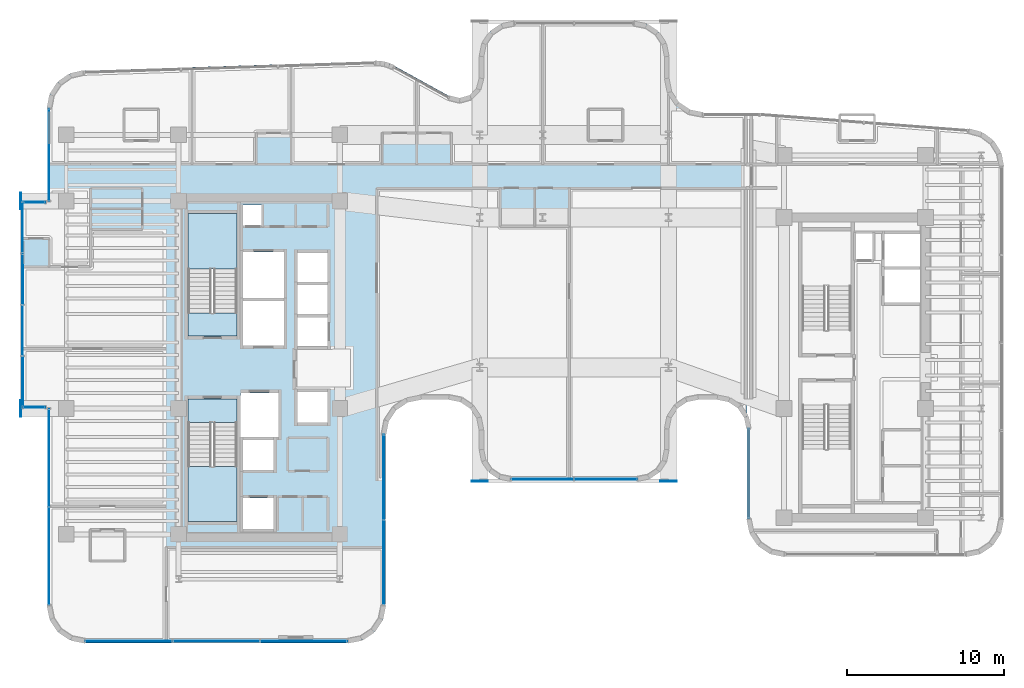
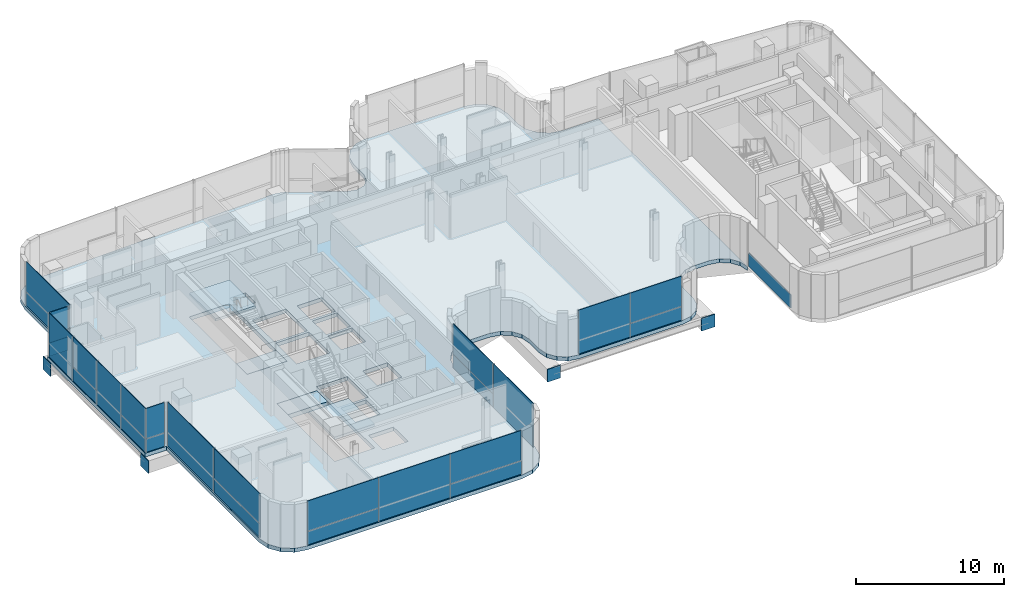
# One storey, part 24 of 36: 31 plates, 5 slabs, 11 elements without a shape of their own.
"""IFC4 building model written with IfcOpenShell, lengths in metres."""

from ifc_helpers import new_model, si_unit, direction, frame, origin, origin_2d, place, context, subcontext, project, spatial, polyline, rectangle, outline, extrude, source, transform, mapped, material, layer, layer_set, type_object, element, aggregate, save


model = new_model("IFC4")

# Units and contexts
model_context = context("Model", 3, precision=1e-05, world=origin(), true_north=direction((0.0, 1.0)))
body_context = subcontext(model_context, "Body", "Model", "MODEL_VIEW")
ifc_project = project(units=[si_unit("LENGTHUNIT", "METRE"), si_unit("AREAUNIT", "SQUARE_METRE"), si_unit("VOLUMEUNIT", "CUBIC_METRE"), si_unit("PLANEANGLEUNIT", "RADIAN"), si_unit("MASSUNIT", "GRAM", prefix="KILO")], contexts=[model_context])

# Site, building, storey
site_placement = place(None, origin())
site = spatial("IfcSite", under=ifc_project, at=site_placement, CompositionType="ELEMENT")
building_placement = place(site_placement, origin())
building = spatial("IfcBuilding", under=site, at=building_placement, Name="Valdorenza Pilgrim Sanctuary Tower", CompositionType="ELEMENT")
storey_placement = place(building_placement, frame((0.0, 0.0, 176.550048828125)))
storey = spatial("IfcBuildingStorey", under=building, at=storey_placement, Name="L45", CompositionType="ELEMENT", Elevation=176.550048828125)

# Slab
ifc_material_1 = material(Name="Concrete C40/50", Category="concrete")
ifc_layer_1 = layer(ifc_material_1, 0.320068359375, Name="Concrete C40/50")
ifc_layer_set_1 = layer_set([ifc_layer_1], Name="Concrete C40/50")
slab_type_1 = type_object("IfcSlabType", Name="SLAB-PRY-320", PredefinedType="FLOOR", material=ifc_layer_set_1)
slab_1_placement = place(storey_placement, frame((0.0, 0.0, -0.320068359375)))
element("IfcSlab", 1, at=slab_1_placement, inside=storey, type_object=slab_type_1, Name="L45 Structural Floor Slab 1", PredefinedType="FLOOR", context=body_context, shape_type="SweptSolid", body=[
    extrude(outline(polyline([(-30.324462890625, 18.14599609375), (-29.572265625, 18.671142578125), (-28.677978515625, 18.87548828125), (-10.157958984375, 19.478515625), (-9.837158203125, 19.467529296875), (-9.520751953125, 19.413818359375), (-9.214111328125, 19.318359375), (-8.923095703125, 19.182861328125), (-5.43115234375, 17.26220703125), (-4.782958984375, 17.10107421875), (-4.139892578125, 17.2822265625), (-3.671142578125, 17.75830078125), (-3.5, 18.404052734375), (-3.5, 19.7958984375), (-3.332275390625, 20.639404296875), (-2.8544921875, 21.3544921875), (-2.139404296875, 21.832275390625), (-1.2958984375, 22.0), (6.2958984375, 22.0), (7.139404296875, 21.832275390625), (7.8544921875, 21.3544921875), (8.332275390625, 20.639404296875), (8.5, 19.7958984375), (8.5, 18.404052734375), (8.667724609375, 17.560546875), (9.1455078125, 16.845458984375), (9.860595703125, 16.367919921875), (10.7041015625, 16.199951171875), (13.5, 16.199951171875), (13.5, -3.89990234375), (13.35546875, -3.1728515625), (12.943603515625, -2.556396484375), (12.3271484375, -2.14453125), (11.60009765625, -2.0), (10.39990234375, -2.0), (9.6728515625, -2.14453125), (9.056396484375, -2.556396484375), (8.64453125, -3.1728515625), (8.5, -3.89990234375), (8.5, -5.22412109375), (8.349609375, -5.980224609375), (7.921142578125, -6.62109375), (7.2802734375, -7.049560546875), (6.52392578125, -7.199951171875), (-1.52392578125, -7.199951171875), (-2.2802734375, -7.049560546875), (-2.921142578125, -6.62109375), (-3.349609375, -5.980224609375), (-3.5, -5.22412109375), (-3.5, -3.97607421875), (-3.650390625, -3.2197265625), (-4.078857421875, -2.578857421875), (-4.7197265625, -2.150390625), (-5.47607421875, -2.0), (-7.219970703125, -2.0), (-8.092529296875, -2.173583984375), (-8.832275390625, -2.667724609375), (-9.326416015625, -3.407470703125), (-9.5, -4.280029296875), (-9.5, -15.10009765625), (-9.6826171875, -16.018310546875), (-10.202880859375, -16.797119140625), (-10.981689453125, -17.3173828125), (-11.89990234375, -17.5), (-28.60009765625, -17.5), (-29.518310546875, -17.3173828125), (-30.297119140625, -16.797119140625), (-30.8173828125, -16.018310546875), (-31.0, -15.10009765625), (-31.0, -2.60009765625), (-32.64990234375, -2.60009765625), (-32.64990234375, 10.60009765625), (-31.0, 10.60009765625), (-31.0, 16.476806640625), (-30.82470703125, 17.377197265625), (-30.324462890625, 18.14599609375)]), holes=[polyline([(-16.60009765625, -10.25), (-16.60009765625, -8.300048828125), (-18.550048828125, -8.300048828125), (-18.550048828125, -10.25), (-16.60009765625, -10.25)]), polyline([(-22.050048828125, -9.800048828125), (-18.93994140625, -9.800048828125), (-18.93994140625, -3.485107421875), (-18.93994140625, -2.0), (-22.050048828125, -2.0), (-22.050048828125, -3.485107421875), (-22.050048828125, -9.800048828125)]), polyline([(-16.60009765625, -6.5), (-16.60009765625, -4.60009765625), (-18.550048828125, -4.60009765625), (-18.550048828125, -6.5), (-16.60009765625, -6.5)]), polyline([(-18.719970703125, -4.39990234375), (-16.300048828125, -4.39990234375), (-16.300048828125, -1.60009765625), (-18.719970703125, -1.60009765625), (-18.719970703125, -4.39990234375)]), polyline([(-13.179931640625, 1.35009765625), (-13.179931640625, 3.199951171875), (-15.10009765625, 3.199951171875), (-15.10009765625, 1.35009765625), (-13.179931640625, 1.35009765625)]), polyline([(-22.050048828125, 2.0), (-18.93994140625, 2.0), (-18.93994140625, 3.485107421875), (-18.93994140625, 9.800048828125), (-22.050048828125, 9.800048828125), (-22.050048828125, 3.485107421875), (-22.050048828125, 2.0)]), polyline([(-15.949951171875, 1.39990234375), (-15.949951171875, 4.22509765625), (-18.550048828125, 4.22509765625), (-18.550048828125, 1.39990234375), (-15.949951171875, 1.39990234375)]), polyline([(-18.550048828125, 4.425048828125), (-15.949951171875, 4.425048828125), (-15.949951171875, 7.35009765625), (-18.550048828125, 7.35009765625), (-18.550048828125, 4.425048828125)]), polyline([(-17.360107421875, 9.030029296875), (-17.360107421875, 10.35009765625), (-18.570068359375, 10.35009765625), (-18.570068359375, 9.030029296875), (-17.360107421875, 9.030029296875)]), polyline([(-13.179931640625, -3.5), (-13.179931640625, -1.550048828125), (-15.10009765625, -1.550048828125), (-15.10009765625, -3.5), (-13.179931640625, -3.5)]), polyline([(-13.179931640625, 3.39990234375), (-13.179931640625, 5.25), (-15.10009765625, 5.25), (-15.10009765625, 3.39990234375), (-13.179931640625, 3.39990234375)]), polyline([(-13.179931640625, 5.449951171875), (-13.179931640625, 7.300048828125), (-15.10009765625, 7.300048828125), (-15.10009765625, 5.449951171875), (-13.179931640625, 5.449951171875)])]), origin(), (0.0, 0.0, 1.0), 0.320068359375),
])

# Stair, slab
stair_type = type_object("IfcStairType", Name="STR-DOG-CORE", PredefinedType="HALF_TURN_STAIR", material=ifc_material_1)
stair_1_placement = place(storey_placement, origin())
stair_1 = element("IfcStair", 2, at=stair_1_placement, inside=storey, type_object=stair_type, Name="L45 ST-A1", PredefinedType="HALF_TURN_STAIR")
ifc_layer_2 = layer(ifc_material_1, 0.199951171875, Name="Concrete C40/50")
ifc_layer_set_2 = layer_set([ifc_layer_2], Name="Concrete C40/50")
slab_type_2 = type_object("IfcSlabType", Name="SLAB-STL-200", PredefinedType="LANDING", material=ifc_layer_set_2)
slab_2_placement = place(storey_placement, frame((0.0, 0.0, 1.77490234375)))
slab_2 = element("IfcSlab", 3, at=slab_2_placement, type_object=slab_type_2, Name="ST-A1 landing 1", PredefinedType="LANDING", context=body_context, shape_type="SweptSolid", body=[
    extrude(outline(polyline([(-18.93994140625, 6.280029296875), (-18.93994140625, 9.800048828125), (-22.050048828125, 9.800048828125), (-22.050048828125, 6.280029296875), (-18.93994140625, 6.280029296875)])), origin(), (0.0, 0.0, 1.0), 0.199951171875),
])
aggregate(stair_1, [slab_2])

stair_2_placement = place(storey_placement, origin())
stair_2 = element("IfcStair", 4, at=stair_2_placement, inside=storey, type_object=stair_type, Name="L45 ST-A2", PredefinedType="HALF_TURN_STAIR")
slab_3_placement = place(storey_placement, frame((0.0, 0.0, 1.77490234375)))
slab_3 = element("IfcSlab", 5, at=slab_3_placement, type_object=slab_type_2, Name="ST-A2 landing 1", PredefinedType="LANDING", context=body_context, shape_type="SweptSolid", body=[
    extrude(outline(polyline([(-22.050048828125, -6.280029296875), (-22.050048828125, -9.800048828125), (-18.93994140625, -9.800048828125), (-18.93994140625, -6.280029296875), (-22.050048828125, -6.280029296875)])), origin(), (0.0, 0.0, 1.0), 0.199951171875),
])
aggregate(stair_2, [slab_3])

# Slabs
ifc_material_2 = material(Name="Concrete C50/60", Category="concrete")
ifc_layer_3 = layer(ifc_material_2, 0.39990234375, Name="Concrete C50/60")
ifc_layer_set_3 = layer_set([ifc_layer_3], Name="Concrete C50/60")
slab_type_3 = type_object("IfcSlabType", Name="SLAB-TRF-400", PredefinedType="FLOOR", material=ifc_layer_set_3)
slab_4_placement = place(storey_placement, frame((0.0, 0.0, -0.360107421875)))
element("IfcSlab", 6, at=slab_4_placement, inside=storey, type_object=slab_type_3, Name="L45 ST-A1 Structural Stair Landing Bearing Slab", PredefinedType="FLOOR", context=body_context, shape_type="SweptSolid", body=[
    extrude(outline(polyline([(-22.050048828125, 2.0), (-18.93994140625, 2.0), (-18.93994140625, 3.485107421875), (-22.050048828125, 3.485107421875), (-22.050048828125, 2.0)])), origin(), (0.0, 0.0, 1.0), 0.360107421875),
])
slab_5_placement = place(storey_placement, frame((0.0, 0.0, -0.360107421875)))
element("IfcSlab", 7, at=slab_5_placement, inside=storey, type_object=slab_type_3, Name="L45 ST-A2 Structural Stair Landing Bearing Slab", PredefinedType="FLOOR", context=body_context, shape_type="SweptSolid", body=[
    extrude(outline(polyline([(-22.050048828125, -3.485107421875), (-18.93994140625, -3.485107421875), (-18.93994140625, -2.0), (-22.050048828125, -2.0), (-22.050048828125, -3.485107421875)])), origin(), (0.0, 0.0, 1.0), 0.360107421875),
])

# Plates
ifc_material_3 = material(Name="Steel ASTM A572 Grade 42", Category="steel")
ifc_layer_4 = layer(ifc_material_3, 0.06005859375, Name="Steel ASTM A572 Grade 42")
ifc_layer_set_4 = layer_set([ifc_layer_4], Name="Steel ASTM A572 Grade 42")
plate_type_1 = type_object("IfcPlateType", Name="PLT-CAP-60", PredefinedType="SHEET", material=ifc_layer_set_4)
shared_shape_1 = source(origin(), body_context, "Body", "SweptSolid", [
    extrude(rectangle(XDim=0.06005859375, YDim=1.0400390625, at=origin_2d()), origin(), (0.0, 0.0, 1.0), 1.0400390625),
])
for number, where, z_axis, x_axis, name in (
    (8, (-32.679931640625, 10.60009765625, -1.340087890625), (0.0, 0.0, 1.0), (1.0, 0.0, 0.0), "L45 BOX-WA-L45 Cantilever Tip End Cap N"),
    (9, (-32.679931640625, -2.60009765625, -1.340087890625), (0.0, 0.0, 1.0), (1.0, 0.0, 0.0), "L45 BOX-WA-L45 Cantilever Tip End Cap S"),
):
    element("IfcPlate", number, at=place(storey_placement, frame(where, z_axis=z_axis, x_axis=x_axis)), inside=storey, type_object=plate_type_1, Name=name, PredefinedType="SHEET", context=body_context, shape_type="MappedRepresentation", body=[
        mapped(shared_shape_1, transform((0.0, 0.0, 0.0), x_axis=(1.0, 0.0, 0.0), y_axis=(0.0, 1.0, 0.0), z_axis=(0.0, 0.0, 1.0), scale=1.0)),
    ])
shared_shape_2 = source(origin(), body_context, "Body", "SweptSolid", [
    extrude(rectangle(XDim=1.0400390625, YDim=0.06005859375, at=origin_2d()), origin(), (0.0, 0.0, 1.0), 1.0400390625),
])
for number, where, z_axis, x_axis, name in (
    (10, (-3.5, -7.22998046875, -1.340087890625), (0.0, 0.0, 1.0), (1.0, 0.0, 0.0), "L45 South Prow Cantilever End Cap W"),
    (11, (8.5, -7.22998046875, -1.340087890625), (0.0, 0.0, 1.0), (1.0, 0.0, 0.0), "L45 South Prow Cantilever End Cap E"),
):
    element("IfcPlate", number, at=place(storey_placement, frame(where, z_axis=z_axis, x_axis=x_axis)), inside=storey, type_object=plate_type_1, Name=name, PredefinedType="SHEET", context=body_context, shape_type="MappedRepresentation", body=[
        mapped(shared_shape_2, transform((0.0, 0.0, 0.0), x_axis=(1.0, 0.0, 0.0), y_axis=(0.0, 1.0, 0.0), z_axis=(0.0, 0.0, 1.0), scale=1.0)),
    ])

# Curtain wall, plate
ifc_material_4 = material(Name="Curtain-wall IGU glazing", Category="glass")
curtain_wall_type_1 = type_object("IfcCurtainWallType", Name="CW-SYS-05", PredefinedType="NOTDEFINED", material=ifc_material_4)
curtain_wall_1_placement = place(storey_placement, origin())
curtain_wall_1 = element("IfcCurtainWall", 12, at=curtain_wall_1_placement, inside=storey, type_object=curtain_wall_type_1, Name="L45 Curtain Wall CW-L45-1-47", PredefinedType="NOTDEFINED")
ifc_material_5 = material(Name="Honed travertine limestone", Category="masonry")
ifc_layer_5 = layer(ifc_material_5, 0.050048828125, Name="Honed travertine limestone")
ifc_layer_set_5 = layer_set([ifc_layer_5], Name="Honed travertine limestone")
plate_type_2 = type_object("IfcPlateType", Name="CW-SPN-TRV", PredefinedType="USERDEFINED", material=ifc_layer_set_5)
shared_shape_3 = source(origin(), body_context, "Body", "SweptSolid", [
    extrude(rectangle(XDim=5.679931640625, YDim=0.06005859375, at=origin_2d()), origin(), (0.0, 0.0, 1.0), 1.10009765625),
])
plate_1_placement = place(storey_placement, frame((13.610107421875, -6.7392578125, 0.010009765625), z_axis=(0.0, 0.0, 1.0), x_axis=(0.0, 1.0, 0.0)))
plate_1 = element("IfcPlate", 13, at=plate_1_placement, type_object=plate_type_2, Name="CW-L45-1-47 Travertine Spandrel 1", ObjectType="SPANDREL", PredefinedType="USERDEFINED", context=body_context, shape_type="MappedRepresentation", body=[
    mapped(shared_shape_3, transform((0.0, 0.0, 0.0), x_axis=(1.0, 0.0, 0.0), y_axis=(0.0, 1.0, 0.0), z_axis=(0.0, 0.0, 1.0), scale=1.0)),
])
aggregate(curtain_wall_1, [plate_1])

curtain_wall_type_2 = type_object("IfcCurtainWallType", Name="CW-SYS-02", PredefinedType="NOTDEFINED", material=ifc_material_4)
curtain_wall_2_placement = place(storey_placement, origin())
curtain_wall_2 = element("IfcCurtainWall", 14, at=curtain_wall_2_placement, inside=storey, type_object=curtain_wall_type_2, Name="L45 Curtain Wall CW-L45-BOX-WA-L45-S", PredefinedType="NOTDEFINED")
shared_shape_4 = source(origin(), body_context, "Body", "SweptSolid", [
    extrude(rectangle(XDim=1.43994140625, YDim=0.06005859375, at=origin_2d()), origin(), (0.0, 0.0, 1.0), 1.10009765625),
])
plate_2_placement = place(storey_placement, frame((-31.840087890625, -2.52001953125, 0.010009765625), z_axis=(0.0, 0.0, 1.0), x_axis=(-1.0, 0.0, 0.0)))
plate_2 = element("IfcPlate", 15, at=plate_2_placement, type_object=plate_type_2, Name="CW-L45-BOX-WA-L45-S Travertine Spandrel 1", ObjectType="SPANDREL", PredefinedType="USERDEFINED", context=body_context, shape_type="MappedRepresentation", body=[
    mapped(shared_shape_4, transform((0.0, 0.0, 0.0), x_axis=(1.0, 0.0, 0.0), y_axis=(0.0, 1.0, 0.0), z_axis=(0.0, 0.0, 1.0), scale=1.0)),
])

curtain_wall_3_placement = place(storey_placement, origin())
curtain_wall_3 = element("IfcCurtainWall", 16, at=curtain_wall_3_placement, inside=storey, type_object=curtain_wall_type_2, Name="L45 Curtain Wall CW-L45-BOX-WA-L45-N", PredefinedType="NOTDEFINED")
plate_3_placement = place(storey_placement, frame((-31.840087890625, 10.52001953125, 0.010009765625), z_axis=(0.0, 0.0, 1.0), x_axis=(1.0, 0.0, 0.0)))
plate_3 = element("IfcPlate", 17, at=plate_3_placement, type_object=plate_type_2, Name="CW-L45-BOX-WA-L45-N Travertine Spandrel 1", ObjectType="SPANDREL", PredefinedType="USERDEFINED", context=body_context, shape_type="MappedRepresentation", body=[
    mapped(shared_shape_4, transform((0.0, 0.0, 0.0), x_axis=(1.0, 0.0, 0.0), y_axis=(0.0, 1.0, 0.0), z_axis=(0.0, 0.0, 1.0), scale=1.0)),
])

# Curtain wall, plates
curtain_wall_4_placement = place(storey_placement, origin())
curtain_wall_4 = element("IfcCurtainWall", 18, at=curtain_wall_4_placement, inside=storey, type_object=curtain_wall_type_2, Name="L45 Curtain Wall CW-L45-BOX-WA-L45-F", PredefinedType="NOTDEFINED")
shared_shape_5 = source(origin(), body_context, "Body", "SweptSolid", [
    extrude(rectangle(XDim=3.239990234375, YDim=0.06005859375, at=origin_2d()), origin(), (0.0, 0.0, 1.0), 1.10009765625),
])
plate_4_placement = place(storey_placement, frame((-32.570068359375, -0.889892578125, 0.010009765625), z_axis=(0.0, 0.0, 1.0), x_axis=(0.0, 1.0, 0.0)))
plate_4 = element("IfcPlate", 19, at=plate_4_placement, type_object=plate_type_2, Name="CW-L45-BOX-WA-L45-F Travertine Spandrel 1", ObjectType="SPANDREL", PredefinedType="USERDEFINED", context=body_context, shape_type="MappedRepresentation", body=[
    mapped(shared_shape_5, transform((0.0, 0.0, 0.0), x_axis=(1.0, 0.0, 0.0), y_axis=(0.0, 1.0, 0.0), z_axis=(0.0, 0.0, 1.0), scale=1.0)),
])
plate_5_placement = place(storey_placement, frame((-32.570068359375, 5.6298828125, 0.010009765625), z_axis=(0.0, 0.0, 1.0), x_axis=(0.0, 1.0, 0.0)))
plate_5 = element("IfcPlate", 20, at=plate_5_placement, type_object=plate_type_2, Name="CW-L45-BOX-WA-L45-F Travertine Spandrel 3", ObjectType="SPANDREL", PredefinedType="USERDEFINED", context=body_context, shape_type="MappedRepresentation", body=[
    mapped(shared_shape_5, transform((0.0, 0.0, 0.0), x_axis=(1.0, 0.0, 0.0), y_axis=(0.0, 1.0, 0.0), z_axis=(0.0, 0.0, 1.0), scale=1.0)),
])

# Curtain wall, plate
curtain_wall_5_placement = place(storey_placement, origin())
curtain_wall_5 = element("IfcCurtainWall", 21, at=curtain_wall_5_placement, inside=storey, type_object=curtain_wall_type_2, Name="L45 Curtain Wall CW-L45-1-1S1", PredefinedType="NOTDEFINED")
shared_shape_6 = source(origin(), body_context, "Body", "SweptSolid", [
    extrude(rectangle(XDim=6.224609375, YDim=0.06005859375, at=origin_2d()), origin(), (0.0, 0.0, 1.0), 1.10009765625),
])
plate_6_placement = place(storey_placement, frame((-30.889892578125, -11.966796875, 0.010009765625), z_axis=(0.0, 0.0, 1.0), x_axis=(0.0, 1.0, 0.0)))
plate_6 = element("IfcPlate", 22, at=plate_6_placement, type_object=plate_type_2, Name="CW-L45-1-1S1 Travertine Spandrel 1", ObjectType="SPANDREL", PredefinedType="USERDEFINED", context=body_context, shape_type="MappedRepresentation", body=[
    mapped(shared_shape_6, transform((0.0, 0.0, 0.0), x_axis=(1.0, 0.0, 0.0), y_axis=(0.0, 1.0, 0.0), z_axis=(0.0, 0.0, 1.0), scale=1.0)),
])

curtain_wall_6_placement = place(storey_placement, origin())
curtain_wall_6 = element("IfcCurtainWall", 23, at=curtain_wall_6_placement, inside=storey, type_object=curtain_wall_type_2, Name="L45 Curtain Wall CW-L45-1-1S2", PredefinedType="NOTDEFINED")
shared_shape_7 = source(origin(), body_context, "Body", "SweptSolid", [
    extrude(rectangle(XDim=5.84619140625, YDim=0.06005859375, at=origin_2d()), origin(), (0.0, 0.0, 1.0), 1.10009765625),
])
plate_7_placement = place(storey_placement, frame((-30.889892578125, 13.533203125, 0.010009765625), z_axis=(0.0, 0.0, 1.0), x_axis=(0.0, 1.0, 0.0)))
plate_7 = element("IfcPlate", 24, at=plate_7_placement, type_object=plate_type_2, Name="CW-L45-1-1S2 Travertine Spandrel 1", ObjectType="SPANDREL", PredefinedType="USERDEFINED", context=body_context, shape_type="MappedRepresentation", body=[
    mapped(shared_shape_7, transform((0.0, 0.0, 0.0), x_axis=(1.0, 0.0, 0.0), y_axis=(0.0, 1.0, 0.0), z_axis=(0.0, 0.0, 1.0), scale=1.0)),
])

curtain_wall_7_placement = place(storey_placement, origin())
curtain_wall_7 = element("IfcCurtainWall", 25, at=curtain_wall_7_placement, inside=storey, type_object=curtain_wall_type_1, Name="L45 Curtain Wall CW-L45-1-62", PredefinedType="NOTDEFINED")
shared_shape_8 = source(origin(), body_context, "Body", "SweptSolid", [
    extrude(rectangle(XDim=3.9931640625, YDim=0.06005859375, at=origin_2d()), origin(), (0.0, 0.0, 1.0), 1.10009765625),
])
plate_8_placement = place(storey_placement, frame((4.506591796875, -7.090087890625, 0.010009765625), z_axis=(0.0, 0.0, 1.0), x_axis=(-1.0, 0.0, 0.0)))
plate_8 = element("IfcPlate", 26, at=plate_8_placement, type_object=plate_type_2, Name="CW-L45-1-62 Travertine Spandrel 1", ObjectType="SPANDREL", PredefinedType="USERDEFINED", context=body_context, shape_type="MappedRepresentation", body=[
    mapped(shared_shape_8, transform((0.0, 0.0, 0.0), x_axis=(1.0, 0.0, 0.0), y_axis=(0.0, 1.0, 0.0), z_axis=(0.0, 0.0, 1.0), scale=1.0)),
])

curtain_wall_8_placement = place(storey_placement, origin())
curtain_wall_8 = element("IfcCurtainWall", 27, at=curtain_wall_8_placement, inside=storey, type_object=curtain_wall_type_1, Name="L45 Curtain Wall CW-L45-1-77", PredefinedType="NOTDEFINED")
shared_shape_9 = source(origin(), body_context, "Body", "SweptSolid", [
    extrude(rectangle(XDim=5.389892578125, YDim=0.06005859375, at=origin_2d()), origin(), (0.0, 0.0, 1.0), 1.10009765625),
])
plate_9_placement = place(storey_placement, frame((-9.610107421875, -6.97412109375, 0.010009765625), z_axis=(0.0, 0.0, 1.0), x_axis=(0.0, -1.0, 0.0)))
plate_9 = element("IfcPlate", 28, at=plate_9_placement, type_object=plate_type_2, Name="CW-L45-1-77 Travertine Spandrel 1", ObjectType="SPANDREL", PredefinedType="USERDEFINED", context=body_context, shape_type="MappedRepresentation", body=[
    mapped(shared_shape_9, transform((0.0, 0.0, 0.0), x_axis=(1.0, 0.0, 0.0), y_axis=(0.0, 1.0, 0.0), z_axis=(0.0, 0.0, 1.0), scale=1.0)),
])

# Curtain wall, plates
curtain_wall_9_placement = place(storey_placement, origin())
curtain_wall_9 = element("IfcCurtainWall", 29, at=curtain_wall_9_placement, inside=storey, type_object=curtain_wall_type_2, Name="L45 Curtain Wall CW-L45-1-82", PredefinedType="NOTDEFINED")
shared_shape_10 = source(origin(), body_context, "Body", "SweptSolid", [
    extrude(rectangle(XDim=5.53955078125, YDim=0.06005859375, at=origin_2d()), origin(), (0.0, 0.0, 1.0), 1.10009765625),
])
plate_10_placement = place(storey_placement, frame((-14.6904296875, -17.389892578125, 0.010009765625), z_axis=(0.0, 0.0, 1.0), x_axis=(-1.0, 0.0, 0.0)))
plate_10 = element("IfcPlate", 30, at=plate_10_placement, type_object=plate_type_2, Name="CW-L45-1-82 Travertine Spandrel 1", ObjectType="SPANDREL", PredefinedType="USERDEFINED", context=body_context, shape_type="MappedRepresentation", body=[
    mapped(shared_shape_10, transform((0.0, 0.0, 0.0), x_axis=(1.0, 0.0, 0.0), y_axis=(0.0, 1.0, 0.0), z_axis=(0.0, 0.0, 1.0), scale=1.0)),
])
plate_11_placement = place(storey_placement, frame((-25.8095703125, -17.389892578125, 0.010009765625), z_axis=(0.0, 0.0, 1.0), x_axis=(-1.0, 0.0, 0.0)))
plate_11 = element("IfcPlate", 31, at=plate_11_placement, type_object=plate_type_2, Name="CW-L45-1-82 Travertine Spandrel 3", ObjectType="SPANDREL", PredefinedType="USERDEFINED", context=body_context, shape_type="MappedRepresentation", body=[
    mapped(shared_shape_10, transform((0.0, 0.0, 0.0), x_axis=(1.0, 0.0, 0.0), y_axis=(0.0, 1.0, 0.0), z_axis=(0.0, 0.0, 1.0), scale=1.0)),
])

# Plate
ifc_material_6 = material(Name="Ceramic-fritted low-E IGU glazing", Category="glass")
ifc_layer_6 = layer(ifc_material_6, 0.035888671875, Name="Ceramic-fritted low-E IGU glazing")
ifc_layer_set_6 = layer_set([ifc_layer_6], Name="Ceramic-fritted low-E IGU glazing")
plate_type_3 = type_object("IfcPlateType", Name="CW-GLZ-IGU", PredefinedType="USERDEFINED", material=ifc_layer_set_6)
shared_shape_11 = source(origin(), body_context, "Body", "SweptSolid", [
    extrude(rectangle(XDim=6.224609375, YDim=0.050048828125, at=origin_2d()), origin(), (0.0, 0.0, 1.0), 2.489990234375),
])
plate_12_placement = place(storey_placement, frame((-30.889892578125, -11.966796875, 1.1298828125), z_axis=(0.0, 0.0, 1.0), x_axis=(0.0, 1.0, 0.0)))
plate_12 = element("IfcPlate", 32, at=plate_12_placement, type_object=plate_type_3, Name="CW-L45-1-1S1 Facade Panel 1", ObjectType="GLAZING", PredefinedType="USERDEFINED", context=body_context, shape_type="MappedRepresentation", body=[
    mapped(shared_shape_11, transform((0.0, 0.0, 0.0), x_axis=(1.0, 0.0, 0.0), y_axis=(0.0, 1.0, 0.0), z_axis=(0.0, 0.0, 1.0), scale=1.0)),
])

shared_shape_12 = source(origin(), body_context, "Body", "SweptSolid", [
    extrude(rectangle(XDim=6.224609375, YDim=0.050048828125, at=origin_2d()), origin(), (0.0, 0.0, 1.0), 3.610107421875),
])
plate_13_placement = place(storey_placement, frame((-30.889892578125, -5.722412109375, 0.009765625), z_axis=(0.0, 0.0, 1.0), x_axis=(0.0, 1.0, 0.0)))
plate_13 = element("IfcPlate", 33, at=plate_13_placement, type_object=plate_type_3, Name="CW-L45-1-1S1 Full-Height Facade Panel 2", ObjectType="GLAZING", PredefinedType="USERDEFINED", context=body_context, shape_type="MappedRepresentation", body=[
    mapped(shared_shape_12, transform((0.0, 0.0, 0.0), x_axis=(1.0, 0.0, 0.0), y_axis=(0.0, 1.0, 0.0), z_axis=(0.0, 0.0, 1.0), scale=1.0)),
])

aggregate(curtain_wall_5, [plate_6, plate_12, plate_13])

shared_shape_13 = source(origin(), body_context, "Body", "SweptSolid", [
    extrude(rectangle(XDim=5.84619140625, YDim=0.050048828125, at=origin_2d()), origin(), (0.0, 0.0, 1.0), 2.489990234375),
])
plate_14_placement = place(storey_placement, frame((-30.889892578125, 13.533203125, 1.1298828125), z_axis=(0.0, 0.0, 1.0), x_axis=(0.0, 1.0, 0.0)))
plate_14 = element("IfcPlate", 34, at=plate_14_placement, type_object=plate_type_3, Name="CW-L45-1-1S2 Facade Panel 1", ObjectType="GLAZING", PredefinedType="USERDEFINED", context=body_context, shape_type="MappedRepresentation", body=[
    mapped(shared_shape_13, transform((0.0, 0.0, 0.0), x_axis=(1.0, 0.0, 0.0), y_axis=(0.0, 1.0, 0.0), z_axis=(0.0, 0.0, 1.0), scale=1.0)),
])

aggregate(curtain_wall_6, [plate_7, plate_14])

shared_shape_14 = source(origin(), body_context, "Body", "SweptSolid", [
    extrude(rectangle(XDim=3.9931640625, YDim=0.050048828125, at=origin_2d()), origin(), (0.0, 0.0, 1.0), 2.489990234375),
])
plate_15_placement = place(storey_placement, frame((4.506591796875, -7.090087890625, 1.1298828125), z_axis=(0.0, 0.0, 1.0), x_axis=(-1.0, 0.0, 0.0)))
plate_15 = element("IfcPlate", 35, at=plate_15_placement, type_object=plate_type_3, Name="CW-L45-1-62 Facade Panel 1", ObjectType="GLAZING", PredefinedType="USERDEFINED", context=body_context, shape_type="MappedRepresentation", body=[
    mapped(shared_shape_14, transform((0.0, 0.0, 0.0), x_axis=(1.0, 0.0, 0.0), y_axis=(0.0, 1.0, 0.0), z_axis=(0.0, 0.0, 1.0), scale=1.0)),
])

shared_shape_15 = source(origin(), body_context, "Body", "SweptSolid", [
    extrude(rectangle(XDim=3.9931640625, YDim=0.050048828125, at=origin_2d()), origin(), (0.0, 0.0, 1.0), 3.610107421875),
])
plate_16_placement = place(storey_placement, frame((0.493408203125, -7.090087890625, 0.009765625), z_axis=(0.0, 0.0, 1.0), x_axis=(-1.0, 0.0, 0.0)))
plate_16 = element("IfcPlate", 36, at=plate_16_placement, type_object=plate_type_3, Name="CW-L45-1-62 Full-Height Facade Panel 2", ObjectType="GLAZING", PredefinedType="USERDEFINED", context=body_context, shape_type="MappedRepresentation", body=[
    mapped(shared_shape_15, transform((0.0, 0.0, 0.0), x_axis=(1.0, 0.0, 0.0), y_axis=(0.0, 1.0, 0.0), z_axis=(0.0, 0.0, 1.0), scale=1.0)),
])

aggregate(curtain_wall_7, [plate_8, plate_15, plate_16])

shared_shape_16 = source(origin(), body_context, "Body", "SweptSolid", [
    extrude(rectangle(XDim=5.389892578125, YDim=0.050048828125, at=origin_2d()), origin(), (0.0, 0.0, 1.0), 2.489990234375),
])
plate_17_placement = place(storey_placement, frame((-9.610107421875, -6.97412109375, 1.1298828125), z_axis=(0.0, 0.0, 1.0), x_axis=(0.0, -1.0, 0.0)))
plate_17 = element("IfcPlate", 37, at=plate_17_placement, type_object=plate_type_3, Name="CW-L45-1-77 Facade Panel 1", ObjectType="GLAZING", PredefinedType="USERDEFINED", context=body_context, shape_type="MappedRepresentation", body=[
    mapped(shared_shape_16, transform((0.0, 0.0, 0.0), x_axis=(1.0, 0.0, 0.0), y_axis=(0.0, 1.0, 0.0), z_axis=(0.0, 0.0, 1.0), scale=1.0)),
])

shared_shape_17 = source(origin(), body_context, "Body", "SweptSolid", [
    extrude(rectangle(XDim=5.389892578125, YDim=0.050048828125, at=origin_2d()), origin(), (0.0, 0.0, 1.0), 3.610107421875),
])
plate_18_placement = place(storey_placement, frame((-9.610107421875, -12.38427734375, 0.009765625), z_axis=(0.0, 0.0, 1.0), x_axis=(0.0, -1.0, 0.0)))
plate_18 = element("IfcPlate", 38, at=plate_18_placement, type_object=plate_type_3, Name="CW-L45-1-77 Full-Height Facade Panel 2", ObjectType="GLAZING", PredefinedType="USERDEFINED", context=body_context, shape_type="MappedRepresentation", body=[
    mapped(shared_shape_17, transform((0.0, 0.0, 0.0), x_axis=(1.0, 0.0, 0.0), y_axis=(0.0, 1.0, 0.0), z_axis=(0.0, 0.0, 1.0), scale=1.0)),
])

aggregate(curtain_wall_8, [plate_9, plate_17, plate_18])

shared_shape_18 = source(origin(), body_context, "Body", "SweptSolid", [
    extrude(rectangle(XDim=5.53955078125, YDim=0.050048828125, at=origin_2d()), origin(), (0.0, 0.0, 1.0), 2.489990234375),
])
plate_19_placement = place(storey_placement, frame((-14.6904296875, -17.389892578125, 1.1298828125), z_axis=(0.0, 0.0, 1.0), x_axis=(-1.0, 0.0, 0.0)))
plate_19 = element("IfcPlate", 39, at=plate_19_placement, type_object=plate_type_3, Name="CW-L45-1-82 Facade Panel 1", ObjectType="GLAZING", PredefinedType="USERDEFINED", context=body_context, shape_type="MappedRepresentation", body=[
    mapped(shared_shape_18, transform((0.0, 0.0, 0.0), x_axis=(1.0, 0.0, 0.0), y_axis=(0.0, 1.0, 0.0), z_axis=(0.0, 0.0, 1.0), scale=1.0)),
])

plate_20_placement = place(storey_placement, frame((-25.8095703125, -17.389892578125, 1.1298828125), z_axis=(0.0, 0.0, 1.0), x_axis=(-1.0, 0.0, 0.0)))
plate_20 = element("IfcPlate", 40, at=plate_20_placement, type_object=plate_type_3, Name="CW-L45-1-82 Facade Panel 3", ObjectType="GLAZING", PredefinedType="USERDEFINED", context=body_context, shape_type="MappedRepresentation", body=[
    mapped(shared_shape_18, transform((0.0, 0.0, 0.0), x_axis=(1.0, 0.0, 0.0), y_axis=(0.0, 1.0, 0.0), z_axis=(0.0, 0.0, 1.0), scale=1.0)),
])

shared_shape_19 = source(origin(), body_context, "Body", "SweptSolid", [
    extrude(rectangle(XDim=5.53955078125, YDim=0.050048828125, at=origin_2d()), origin(), (0.0, 0.0, 1.0), 3.610107421875),
])
plate_21_placement = place(storey_placement, frame((-20.25, -17.389892578125, 0.009765625), z_axis=(0.0, 0.0, 1.0), x_axis=(-1.0, 0.0, 0.0)))
plate_21 = element("IfcPlate", 41, at=plate_21_placement, type_object=plate_type_3, Name="CW-L45-1-82 Full-Height Facade Panel 2", ObjectType="GLAZING", PredefinedType="USERDEFINED", context=body_context, shape_type="MappedRepresentation", body=[
    mapped(shared_shape_19, transform((0.0, 0.0, 0.0), x_axis=(1.0, 0.0, 0.0), y_axis=(0.0, 1.0, 0.0), z_axis=(0.0, 0.0, 1.0), scale=1.0)),
])

aggregate(curtain_wall_9, [plate_10, plate_19, plate_21, plate_11, plate_20])

shared_shape_20 = source(origin(), body_context, "Body", "SweptSolid", [
    extrude(rectangle(XDim=1.43994140625, YDim=0.050048828125, at=origin_2d()), origin(), (0.0, 0.0, 1.0), 2.489990234375),
])
plate_22_placement = place(storey_placement, frame((-31.840087890625, -2.52001953125, 1.1298828125), z_axis=(0.0, 0.0, 1.0), x_axis=(-1.0, 0.0, 0.0)))
plate_22 = element("IfcPlate", 42, at=plate_22_placement, type_object=plate_type_3, Name="CW-L45-BOX-WA-L45-S Facade Panel 1", ObjectType="GLAZING", PredefinedType="USERDEFINED", context=body_context, shape_type="MappedRepresentation", body=[
    mapped(shared_shape_20, transform((0.0, 0.0, 0.0), x_axis=(1.0, 0.0, 0.0), y_axis=(0.0, 1.0, 0.0), z_axis=(0.0, 0.0, 1.0), scale=1.0)),
])

aggregate(curtain_wall_2, [plate_2, plate_22])

plate_23_placement = place(storey_placement, frame((-31.840087890625, 10.52001953125, 1.1298828125), z_axis=(0.0, 0.0, 1.0), x_axis=(1.0, 0.0, 0.0)))
plate_23 = element("IfcPlate", 43, at=plate_23_placement, type_object=plate_type_3, Name="CW-L45-BOX-WA-L45-N Facade Panel 1", ObjectType="GLAZING", PredefinedType="USERDEFINED", context=body_context, shape_type="MappedRepresentation", body=[
    mapped(shared_shape_20, transform((0.0, 0.0, 0.0), x_axis=(1.0, 0.0, 0.0), y_axis=(0.0, 1.0, 0.0), z_axis=(0.0, 0.0, 1.0), scale=1.0)),
])

aggregate(curtain_wall_3, [plate_3, plate_23])

shared_shape_21 = source(origin(), body_context, "Body", "SweptSolid", [
    extrude(rectangle(XDim=3.239990234375, YDim=0.050048828125, at=origin_2d()), origin(), (0.0, 0.0, 1.0), 2.489990234375),
])
plate_24_placement = place(storey_placement, frame((-32.570068359375, -0.889892578125, 1.1298828125), z_axis=(0.0, 0.0, 1.0), x_axis=(0.0, 1.0, 0.0)))
plate_24 = element("IfcPlate", 44, at=plate_24_placement, type_object=plate_type_3, Name="CW-L45-BOX-WA-L45-F Facade Panel 1", ObjectType="GLAZING", PredefinedType="USERDEFINED", context=body_context, shape_type="MappedRepresentation", body=[
    mapped(shared_shape_21, transform((0.0, 0.0, 0.0), x_axis=(1.0, 0.0, 0.0), y_axis=(0.0, 1.0, 0.0), z_axis=(0.0, 0.0, 1.0), scale=1.0)),
])

plate_25_placement = place(storey_placement, frame((-32.570068359375, 5.6298828125, 1.1298828125), z_axis=(0.0, 0.0, 1.0), x_axis=(0.0, 1.0, 0.0)))
plate_25 = element("IfcPlate", 45, at=plate_25_placement, type_object=plate_type_3, Name="CW-L45-BOX-WA-L45-F Facade Panel 3", ObjectType="GLAZING", PredefinedType="USERDEFINED", context=body_context, shape_type="MappedRepresentation", body=[
    mapped(shared_shape_21, transform((0.0, 0.0, 0.0), x_axis=(1.0, 0.0, 0.0), y_axis=(0.0, 1.0, 0.0), z_axis=(0.0, 0.0, 1.0), scale=1.0)),
])

shared_shape_22 = source(origin(), body_context, "Body", "SweptSolid", [
    extrude(rectangle(XDim=3.239990234375, YDim=0.050048828125, at=origin_2d()), origin(), (0.0, 0.0, 1.0), 3.610107421875),
])
plate_26_placement = place(storey_placement, frame((-32.570068359375, 2.3701171875, 0.009765625), z_axis=(0.0, 0.0, 1.0), x_axis=(0.0, 1.0, 0.0)))
plate_26 = element("IfcPlate", 46, at=plate_26_placement, type_object=plate_type_3, Name="CW-L45-BOX-WA-L45-F Full-Height Facade Panel 2", ObjectType="GLAZING", PredefinedType="USERDEFINED", context=body_context, shape_type="MappedRepresentation", body=[
    mapped(shared_shape_22, transform((0.0, 0.0, 0.0), x_axis=(1.0, 0.0, 0.0), y_axis=(0.0, 1.0, 0.0), z_axis=(0.0, 0.0, 1.0), scale=1.0)),
])

plate_27_placement = place(storey_placement, frame((-32.570068359375, 8.889892578125, 0.009765625), z_axis=(0.0, 0.0, 1.0), x_axis=(0.0, 1.0, 0.0)))
plate_27 = element("IfcPlate", 47, at=plate_27_placement, type_object=plate_type_3, Name="CW-L45-BOX-WA-L45-F Full-Height Facade Panel 4", ObjectType="GLAZING", PredefinedType="USERDEFINED", context=body_context, shape_type="MappedRepresentation", body=[
    mapped(shared_shape_22, transform((0.0, 0.0, 0.0), x_axis=(1.0, 0.0, 0.0), y_axis=(0.0, 1.0, 0.0), z_axis=(0.0, 0.0, 1.0), scale=1.0)),
])

aggregate(curtain_wall_4, [plate_4, plate_24, plate_26, plate_5, plate_25, plate_27])

save(model, "model.ifc")
